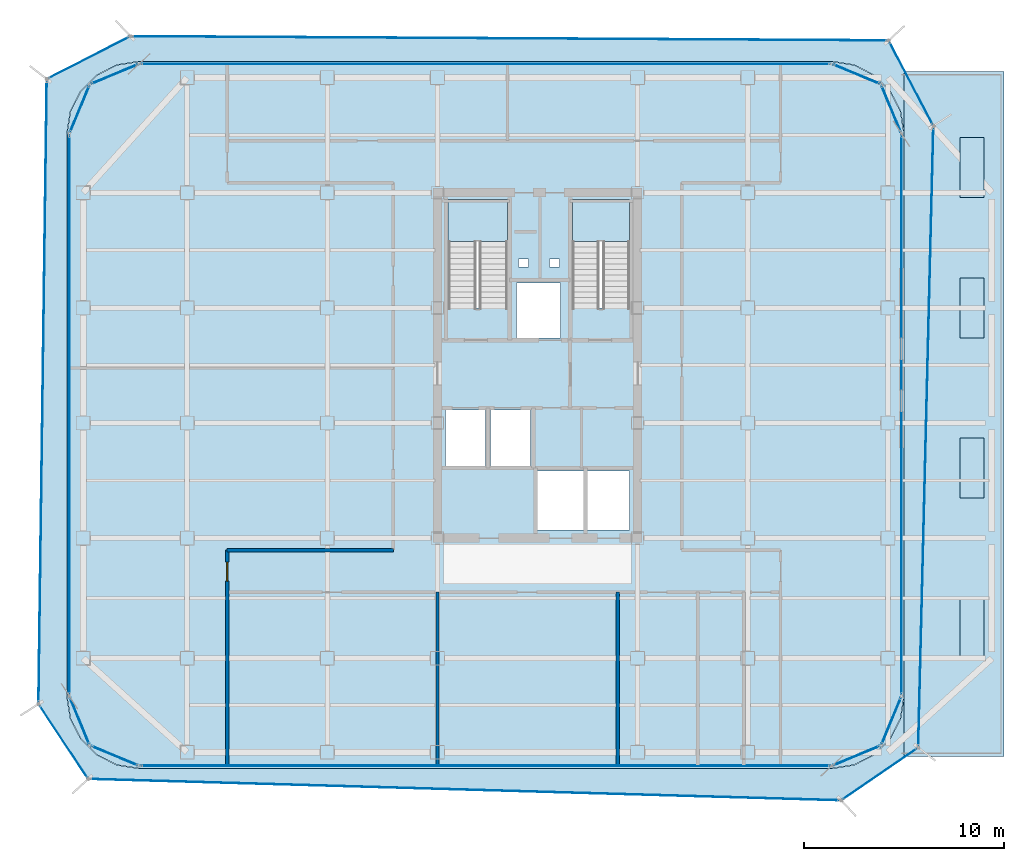
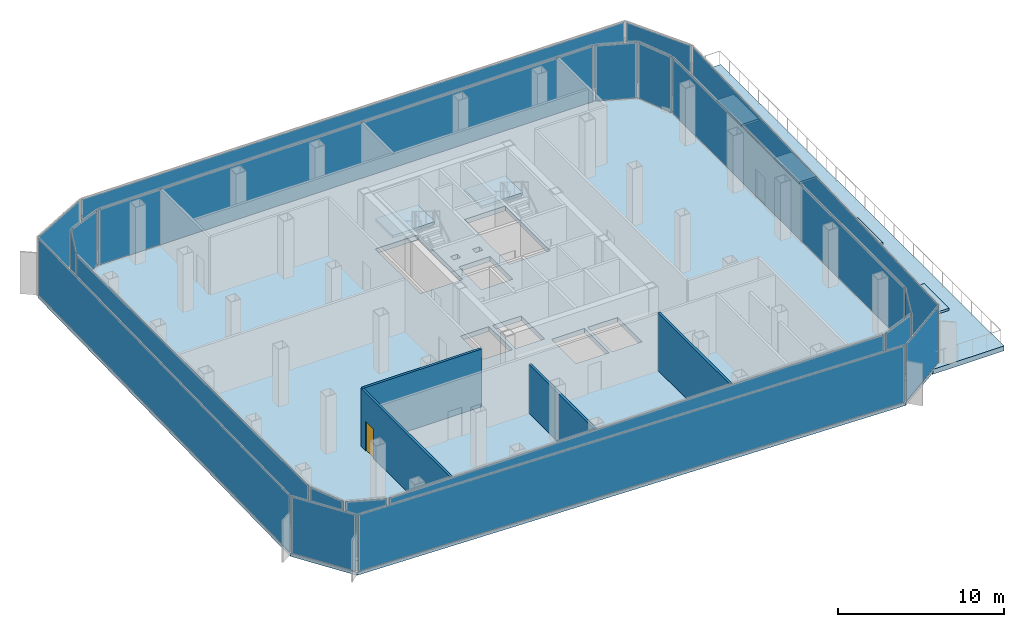
# One storey, part 9 of 14: 20 plates, 9 slabs, 4 walls, 1 door, 1 opening, 22 elements without a shape of their own.
"""IFC4 building model written with IfcOpenShell, lengths in metres."""

from ifc_helpers import new_model, si_unit, direction, frame, frame_2d, origin, origin_2d, place, context, subcontext, project, spatial, polyline, rectangle, outline, extrude, source, transform, mapped, material, layer, layer_set, type_object, element, fill, aggregate, save


model = new_model("IFC4")

# Units and contexts
model_context = context("Model", 3, precision=1e-05, world=origin(), true_north=direction((0.0, 1.0)))
body_context = subcontext(model_context, "Body", "Model", "MODEL_VIEW")
ifc_project = project(units=[si_unit("LENGTHUNIT", "METRE"), si_unit("AREAUNIT", "SQUARE_METRE"), si_unit("VOLUMEUNIT", "CUBIC_METRE"), si_unit("PLANEANGLEUNIT", "RADIAN"), si_unit("MASSUNIT", "GRAM", prefix="KILO")], contexts=[model_context])

# Site, building, storey
site_placement = place(None, origin())
site = spatial("IfcSite", under=ifc_project, at=site_placement, CompositionType="ELEMENT")
building_placement = place(site_placement, origin())
building = spatial("IfcBuilding", under=site, at=building_placement, Name="Kolveth Station Tower", CompositionType="ELEMENT")
storey_placement = place(building_placement, frame((0.0, 0.0, 151.60009765625)))
storey = spatial("IfcBuildingStorey", under=building, at=storey_placement, Name="L42", CompositionType="ELEMENT", Elevation=151.60009765625)

# Slabs
ifc_material_1 = material(Name="Concrete C50/60", Category="concrete")
ifc_layer_1 = layer(ifc_material_1, 0.360107421875)
ifc_layer_set_1 = layer_set([ifc_layer_1], Name="Concrete C50/60")
slab_type_1 = type_object("IfcSlabType", Name="Slab_SF-360", PredefinedType="FLOOR", material=ifc_layer_set_1)
slab_1_placement = place(storey_placement, frame((0.0, 0.0, -0.360107421875)))
element("IfcSlab", 1, at=slab_1_placement, inside=storey, type_object=slab_type_1, Name="L42 Tower Structural Floor Slab", PredefinedType="FLOOR", context=body_context, shape_type="SweptSolid", body=[
    extrude(outline(polyline([(38.199951171875, 0.0), (39.3125, 0.17626953125), (40.31591796875, 0.6875), (41.112548828125, 1.48388671875), (41.623779296875, 2.487548828125), (41.800048828125, 3.60009765625), (41.800048828125, 31.699951171875), (41.623779296875, 32.8125), (41.112548828125, 33.81591796875), (40.31591796875, 34.612548828125), (39.3125, 35.123779296875), (38.199951171875, 35.300048828125), (3.60009765625, 35.300048828125), (2.487548828125, 35.123779296875), (1.48388671875, 34.612548828125), (0.6875, 33.81591796875), (0.17626953125, 32.8125), (0.0, 31.699951171875), (0.0, 3.60009765625), (0.17626953125, 2.487548828125), (0.6875, 1.48388671875), (1.48388671875, 0.6875), (2.487548828125, 0.17626953125), (3.60009765625, 0.0), (38.199951171875, 0.0)]), holes=[polyline([(19.0400390625, 22.985107421875), (22.0, 22.985107421875), (22.0, 28.39990234375), (19.0400390625, 28.39990234375), (19.0400390625, 22.985107421875)]), polyline([(25.239990234375, 22.985107421875), (28.10009765625, 22.985107421875), (28.10009765625, 28.39990234375), (25.239990234375, 28.39990234375), (25.239990234375, 22.985107421875)]), polyline([(18.89990234375, 15.10009765625), (20.89990234375, 15.10009765625), (20.89990234375, 17.89990234375), (18.89990234375, 17.89990234375), (18.89990234375, 15.10009765625)]), polyline([(21.14990234375, 15.10009765625), (23.14990234375, 15.10009765625), (23.14990234375, 17.89990234375), (21.14990234375, 17.89990234375), (21.14990234375, 15.10009765625)]), polyline([(22.449951171875, 21.5), (24.64990234375, 21.5), (24.64990234375, 24.25), (22.449951171875, 24.25), (22.449951171875, 21.5)]), polyline([(23.5, 11.89990234375), (25.800048828125, 11.89990234375), (25.800048828125, 14.85009765625), (23.5, 14.85009765625), (23.5, 11.89990234375)]), polyline([(26.0, 11.89990234375), (28.10009765625, 11.89990234375), (28.10009765625, 14.85009765625), (26.0, 14.85009765625), (26.0, 11.89990234375)]), polyline([(22.550048828125, 25.050048828125), (23.050048828125, 25.050048828125), (23.050048828125, 25.449951171875), (22.550048828125, 25.449951171875), (22.550048828125, 25.050048828125)]), polyline([(24.10009765625, 25.050048828125), (24.60009765625, 25.050048828125), (24.60009765625, 25.449951171875), (24.10009765625, 25.449951171875), (24.10009765625, 25.050048828125)])]), origin(), (0.0, 0.0, 1.0), 0.360107421875),
])
slab_2_placement = place(storey_placement, frame((0.0, 0.0, -0.360107421875)))
element("IfcSlab", 2, at=slab_2_placement, inside=storey, type_object=slab_type_1, Name="L42 East Sky Garden Terrace Slab", PredefinedType="FLOOR", context=body_context, shape_type="SweptSolid", body=[
    extrude(outline(polyline([(41.81005859375, 0.60009765625), (46.800048828125, 0.60009765625), (46.800048828125, 34.800048828125), (41.81005859375, 34.800048828125), (41.81005859375, 0.60009765625)])), origin(), (0.0, 0.0, 1.0), 0.360107421875),
])

# Stair, slab
ifc_material_2 = material(Name="Concrete C40/50", Category="concrete")
stair_type_1 = type_object("IfcStairType", Name="Stair_ST2", PredefinedType="HALF_TURN_STAIR", material=ifc_material_2)
stair_1_placement = place(storey_placement, origin())
stair_1 = element("IfcStair", 3, at=stair_1_placement, inside=storey, type_object=stair_type_1, Name="L42 Tower Exit Stair ST2", PredefinedType="HALF_TURN_STAIR")
ifc_layer_2 = layer(ifc_material_2, 0.18994140625)
ifc_layer_set_2 = layer_set([ifc_layer_2], Name="Concrete C40/50")
slab_type_2 = type_object("IfcSlabType", Name="Slab_SL-190", PredefinedType="LANDING", material=ifc_layer_set_2)
slab_3_placement = place(storey_placement, frame((0.0, 0.0, 2.0498046875)))
slab_3 = element("IfcSlab", 4, at=slab_3_placement, type_object=slab_type_2, Name="ST2 landing 1", PredefinedType="LANDING", context=body_context, shape_type="SweptSolid", body=[
    extrude(outline(polyline([(28.10009765625, 26.31005859375), (28.10009765625, 28.39990234375), (25.239990234375, 28.39990234375), (25.239990234375, 26.31005859375), (28.10009765625, 26.31005859375)])), origin(), (0.0, 0.0, 1.0), 0.2001953125),
])
aggregate(stair_1, [slab_3])

stair_type_2 = type_object("IfcStairType", Name="Stair_ST1", PredefinedType="HALF_TURN_STAIR", material=ifc_material_2)
stair_2_placement = place(storey_placement, origin())
stair_2 = element("IfcStair", 5, at=stair_2_placement, inside=storey, type_object=stair_type_2, Name="L42 Tower Exit Stair ST1", PredefinedType="HALF_TURN_STAIR")
ifc_layer_3 = layer(ifc_material_2, 0.205078125)
ifc_layer_set_3 = layer_set([ifc_layer_3], Name="Concrete C40/50")
slab_type_3 = type_object("IfcSlabType", Name="Slab_SL-205", PredefinedType="LANDING", material=ifc_layer_set_3)
slab_4_placement = place(storey_placement, frame((0.0, 0.0, 2.0498046875)))
slab_4 = element("IfcSlab", 6, at=slab_4_placement, type_object=slab_type_3, Name="ST1 landing 1", PredefinedType="LANDING", context=body_context, shape_type="SweptSolid", body=[
    extrude(outline(polyline([(22.0, 26.31005859375), (22.0, 28.39990234375), (19.0400390625, 28.39990234375), (19.0400390625, 26.31005859375), (22.0, 26.31005859375)])), origin(), (0.0, 0.0, 1.0), 0.2001953125),
])
aggregate(stair_2, [slab_4])

# Slabs
ifc_layer_4 = layer(ifc_material_2, 0.2099609375)
ifc_layer_set_4 = layer_set([ifc_layer_4], Name="Concrete C40/50")
slab_type_4 = type_object("IfcSlabType", Name="Slab_ST-210", PredefinedType="FLOOR", material=ifc_layer_set_4)
slab_5_placement = place(storey_placement, frame((0.0, 0.0, -0.210205078125)))
element("IfcSlab", 7, at=slab_5_placement, inside=storey, type_object=slab_type_4, Name="L42 Double-Skin Cavity Structural Ledger Ring", PredefinedType="FLOOR", context=body_context, shape_type="SweptSolid", body=[
    extrude(outline(polyline([(38.672607421875, -1.6025390625), (1.058349609375, -0.531494140625), (-1.42236328125, 3.21826171875), (-1.009033203125, 34.42822265625), (3.169189453125, 36.563232421875), (41.0400390625, 36.354248046875), (41.846435546875, 34.81494140625), (41.81005859375, 34.81494140625), (41.80419921875, 34.81396484375), (41.79931640625, 34.810546875), (41.796142578125, 34.8056640625), (41.794921875, 34.800048828125), (41.794921875, 31.827392578125), (41.638671875, 32.814697265625), (41.63720703125, 32.8193359375), (41.1259765625, 33.82275390625), (41.123046875, 33.82666015625), (40.32666015625, 34.623046875), (40.32275390625, 34.6259765625), (39.3193359375, 35.13720703125), (39.314697265625, 35.138671875), (38.202392578125, 35.314697265625), (38.199951171875, 35.31494140625), (3.60009765625, 35.31494140625), (3.59765625, 35.314697265625), (2.485107421875, 35.138671875), (2.480712890625, 35.13720703125), (1.477294921875, 34.6259765625), (1.473388671875, 34.623046875), (0.677001953125, 33.82666015625), (0.674072265625, 33.82275390625), (0.162841796875, 32.8193359375), (0.161376953125, 32.814697265625), (-0.014892578125, 31.702392578125), (-0.014892578125, 31.699951171875), (-0.014892578125, 3.60009765625), (-0.014892578125, 3.59765625), (0.161376953125, 2.485107421875), (0.162841796875, 2.480712890625), (0.674072265625, 1.477294921875), (0.677001953125, 1.473388671875), (1.473388671875, 0.677001953125), (1.477294921875, 0.674072265625), (2.480712890625, 0.162841796875), (2.485107421875, 0.161376953125), (3.59765625, -0.014892578125), (3.60009765625, -0.014892578125), (38.199951171875, -0.014892578125), (38.202392578125, -0.014892578125), (39.314697265625, 0.161376953125), (39.3193359375, 0.162841796875), (40.32275390625, 0.674072265625), (40.32666015625, 0.677001953125), (41.123046875, 1.473388671875), (41.1259765625, 1.477294921875), (41.63720703125, 2.480712890625), (41.638671875, 2.485107421875), (41.794921875, 3.472412109375), (41.794921875, 0.60009765625), (41.796142578125, 0.59423828125), (41.79931640625, 0.58935546875), (41.80419921875, 0.586181640625), (41.81005859375, 0.5849609375), (41.859375, 0.5849609375), (38.672607421875, -1.6025390625)])), origin(), (0.0, 0.0, 1.0), 0.210205078125),
])
ifc_layer_5 = layer(ifc_material_2, 0.159912109375)
ifc_layer_set_5 = layer_set([ifc_layer_5], Name="Concrete C40/50")
slab_type_5 = type_object("IfcSlabType", Name="Slab_PL-160", PredefinedType="FLOOR", material=ifc_layer_set_5)
shared_shape_1 = source(origin(), body_context, "Body", "SweptSolid", [
    extrude(rectangle(XDim=1.199951171875, YDim=3.0, at=origin_2d()), origin(), (0.0, 0.0, 1.0), 0.159912109375),
])
for number, where, z_axis, x_axis, name in (
    (8, (45.199951171875, 7.0, 0.0), (0.0, 0.0, 1.0), (1.0, 0.0, 0.0), "L42 Sky Garden Planter Bed 1"),
    (9, (45.199951171875, 15.0, 0.0), (0.0, 0.0, 1.0), (1.0, 0.0, 0.0), "L42 Sky Garden Planter Bed 2"),
    (10, (45.199951171875, 23.0, 0.0), (0.0, 0.0, 1.0), (1.0, 0.0, 0.0), "L42 Sky Garden Planter Bed 3"),
    (11, (45.199951171875, 30.0, 0.0), (0.0, 0.0, 1.0), (1.0, 0.0, 0.0), "L42 Sky Garden Planter Bed 4"),
):
    element("IfcSlab", number, at=place(storey_placement, frame(where, z_axis=z_axis, x_axis=x_axis)), inside=storey, type_object=slab_type_5, Name=name, PredefinedType="FLOOR", context=body_context, shape_type="MappedRepresentation", body=[
        mapped(shared_shape_1, transform((0.0, 0.0, 0.0), x_axis=(1.0, 0.0, 0.0), y_axis=(0.0, 1.0, 0.0), z_axis=(0.0, 0.0, 1.0), scale=1.0)),
    ])

# Curtain wall, plate
ifc_material_3 = material(Name="Aluminium 6063-T6 and acoustic laminated dark glass", Category="aluminium")
ifc_layer_6 = layer(ifc_material_3, 0.219970703125)
ifc_layer_set_6 = layer_set([ifc_layer_6], Name="Aluminium 6063-T6 and acoustic laminated dark glass")
curtain_wall_type_1 = type_object("IfcCurtainWallType", Name="CurtainWall_CW-SL", PredefinedType="NOTDEFINED", material=ifc_layer_set_6)
curtain_wall_1_placement = place(storey_placement, origin())
curtain_wall_1 = element("IfcCurtainWall", 12, at=curtain_wall_1_placement, inside=storey, type_object=curtain_wall_type_1, Name="L42 Inner Thermal Curtain Wall 1", PredefinedType="NOTDEFINED")
ifc_material_4 = material(Name="Architectural low-E dark glass", Category="glass")
ifc_layer_7 = layer(ifc_material_4, 0.0458984375)
ifc_layer_set_7 = layer_set([ifc_layer_7], Name="Architectural low-E dark glass")
plate_type_1 = type_object("IfcPlateType", Name="Panel_GL-SL", PredefinedType="CURTAIN_PANEL", material=ifc_layer_set_7)
shared_shape_2 = source(origin(), body_context, "Body", "SweptSolid", [
    extrude(rectangle(XDim=2.487548828125, YDim=0.0458984375, at=origin_2d()), origin(), (0.0, 0.0, 1.0), 4.083984375),
])
plate_1_placement = place(storey_placement, frame((39.430419921875, 0.629638671875, 0.0830078125), z_axis=(0.0, 0.0, 1.0), x_axis=(0.923873600544, 0.382697753087, 0.0)))
plate_1 = element("IfcPlate", 13, at=plate_1_placement, type_object=plate_type_1, Name="CW-SL panel 1.1", PredefinedType="CURTAIN_PANEL", context=body_context, shape_type="MappedRepresentation", body=[
    mapped(shared_shape_2, transform((0.0, 0.0, 0.0), x_axis=(1.0, 0.0, 0.0), y_axis=(0.0, 1.0, 0.0), z_axis=(0.0, 0.0, 1.0), scale=1.0)),
])
aggregate(curtain_wall_1, [plate_1])

curtain_wall_2_placement = place(storey_placement, origin())
curtain_wall_2 = element("IfcCurtainWall", 14, at=curtain_wall_2_placement, inside=storey, type_object=curtain_wall_type_1, Name="L42 Inner Thermal Curtain Wall 2", PredefinedType="NOTDEFINED")
plate_2_placement = place(storey_placement, frame((41.17041015625, 2.36962890625, 0.0830078125), z_axis=(0.0, 0.0, 1.0), x_axis=(0.382697753087, 0.923873600544, 0.0)))
plate_2 = element("IfcPlate", 15, at=plate_2_placement, type_object=plate_type_1, Name="CW-SL panel 1.1", PredefinedType="CURTAIN_PANEL", context=body_context, shape_type="MappedRepresentation", body=[
    mapped(shared_shape_2, transform((0.0, 0.0, 0.0), x_axis=(1.0, 0.0, 0.0), y_axis=(0.0, 1.0, 0.0), z_axis=(0.0, 0.0, 1.0), scale=1.0)),
])
aggregate(curtain_wall_2, [plate_2])

curtain_wall_3_placement = place(storey_placement, origin())
curtain_wall_3 = element("IfcCurtainWall", 16, at=curtain_wall_3_placement, inside=storey, type_object=curtain_wall_type_1, Name="L42 Inner Thermal Curtain Wall 4", PredefinedType="NOTDEFINED")
plate_3_placement = place(storey_placement, frame((41.17041015625, 32.930419921875, 0.0830078125), z_axis=(0.0, 0.0, 1.0), x_axis=(-0.382697753087, 0.923873600544, 0.0)))
plate_3 = element("IfcPlate", 17, at=plate_3_placement, type_object=plate_type_1, Name="CW-SL panel 1.1", PredefinedType="CURTAIN_PANEL", context=body_context, shape_type="MappedRepresentation", body=[
    mapped(shared_shape_2, transform((0.0, 0.0, 0.0), x_axis=(1.0, 0.0, 0.0), y_axis=(0.0, 1.0, 0.0), z_axis=(0.0, 0.0, 1.0), scale=1.0)),
])
aggregate(curtain_wall_3, [plate_3])

curtain_wall_4_placement = place(storey_placement, origin())
curtain_wall_4 = element("IfcCurtainWall", 18, at=curtain_wall_4_placement, inside=storey, type_object=curtain_wall_type_1, Name="L42 Inner Thermal Curtain Wall 5", PredefinedType="NOTDEFINED")
plate_4_placement = place(storey_placement, frame((39.430419921875, 34.67041015625, 0.0830078125), z_axis=(0.0, 0.0, 1.0), x_axis=(-0.923873600544, 0.382697753087, 0.0)))
plate_4 = element("IfcPlate", 19, at=plate_4_placement, type_object=plate_type_1, Name="CW-SL panel 1.1", PredefinedType="CURTAIN_PANEL", context=body_context, shape_type="MappedRepresentation", body=[
    mapped(shared_shape_2, transform((0.0, 0.0, 0.0), x_axis=(1.0, 0.0, 0.0), y_axis=(0.0, 1.0, 0.0), z_axis=(0.0, 0.0, 1.0), scale=1.0)),
])
aggregate(curtain_wall_4, [plate_4])

curtain_wall_5_placement = place(storey_placement, origin())
curtain_wall_5 = element("IfcCurtainWall", 20, at=curtain_wall_5_placement, inside=storey, type_object=curtain_wall_type_1, Name="L42 Inner Thermal Curtain Wall 7", PredefinedType="NOTDEFINED")
plate_5_placement = place(storey_placement, frame((2.36962890625, 34.67041015625, 0.0830078125), z_axis=(0.0, 0.0, 1.0), x_axis=(-0.923873600544, -0.382697753087, 0.0)))
plate_5 = element("IfcPlate", 21, at=plate_5_placement, type_object=plate_type_1, Name="CW-SL panel 1.1", PredefinedType="CURTAIN_PANEL", context=body_context, shape_type="MappedRepresentation", body=[
    mapped(shared_shape_2, transform((0.0, 0.0, 0.0), x_axis=(1.0, 0.0, 0.0), y_axis=(0.0, 1.0, 0.0), z_axis=(0.0, 0.0, 1.0), scale=1.0)),
])
aggregate(curtain_wall_5, [plate_5])

curtain_wall_6_placement = place(storey_placement, origin())
curtain_wall_6 = element("IfcCurtainWall", 22, at=curtain_wall_6_placement, inside=storey, type_object=curtain_wall_type_1, Name="L42 Inner Thermal Curtain Wall 8", PredefinedType="NOTDEFINED")
plate_6_placement = place(storey_placement, frame((0.629638671875, 32.930419921875, 0.0830078125), z_axis=(0.0, 0.0, 1.0), x_axis=(-0.382697753087, -0.923873600544, 0.0)))
plate_6 = element("IfcPlate", 23, at=plate_6_placement, type_object=plate_type_1, Name="CW-SL panel 1.1", PredefinedType="CURTAIN_PANEL", context=body_context, shape_type="MappedRepresentation", body=[
    mapped(shared_shape_2, transform((0.0, 0.0, 0.0), x_axis=(1.0, 0.0, 0.0), y_axis=(0.0, 1.0, 0.0), z_axis=(0.0, 0.0, 1.0), scale=1.0)),
])
aggregate(curtain_wall_6, [plate_6])

curtain_wall_7_placement = place(storey_placement, origin())
curtain_wall_7 = element("IfcCurtainWall", 24, at=curtain_wall_7_placement, inside=storey, type_object=curtain_wall_type_1, Name="L42 Inner Thermal Curtain Wall 10", PredefinedType="NOTDEFINED")
plate_7_placement = place(storey_placement, frame((0.629638671875, 2.36962890625, 0.0830078125), z_axis=(0.0, 0.0, 1.0), x_axis=(0.382697753087, -0.923873600544, 0.0)))
plate_7 = element("IfcPlate", 25, at=plate_7_placement, type_object=plate_type_1, Name="CW-SL panel 1.1", PredefinedType="CURTAIN_PANEL", context=body_context, shape_type="MappedRepresentation", body=[
    mapped(shared_shape_2, transform((0.0, 0.0, 0.0), x_axis=(1.0, 0.0, 0.0), y_axis=(0.0, 1.0, 0.0), z_axis=(0.0, 0.0, 1.0), scale=1.0)),
])
aggregate(curtain_wall_7, [plate_7])

curtain_wall_8_placement = place(storey_placement, origin())
curtain_wall_8 = element("IfcCurtainWall", 26, at=curtain_wall_8_placement, inside=storey, type_object=curtain_wall_type_1, Name="L42 Inner Thermal Curtain Wall 11", PredefinedType="NOTDEFINED")
plate_8_placement = place(storey_placement, frame((2.36962890625, 0.629638671875, 0.0830078125), z_axis=(0.0, 0.0, 1.0), x_axis=(0.923873600544, -0.382697753087, 0.0)))
plate_8 = element("IfcPlate", 27, at=plate_8_placement, type_object=plate_type_1, Name="CW-SL panel 1.1", PredefinedType="CURTAIN_PANEL", context=body_context, shape_type="MappedRepresentation", body=[
    mapped(shared_shape_2, transform((0.0, 0.0, 0.0), x_axis=(1.0, 0.0, 0.0), y_axis=(0.0, 1.0, 0.0), z_axis=(0.0, 0.0, 1.0), scale=1.0)),
])
aggregate(curtain_wall_8, [plate_8])

curtain_wall_9_placement = place(storey_placement, origin())
curtain_wall_9 = element("IfcCurtainWall", 28, at=curtain_wall_9_placement, inside=storey, type_object=curtain_wall_type_1, Name="L42 Inner Thermal Curtain Wall 3", PredefinedType="NOTDEFINED")
shared_shape_3 = source(origin(), body_context, "Body", "SweptSolid", [
    extrude(rectangle(XDim=27.924072265625, YDim=0.0458984375, at=origin_2d()), origin(), (0.0, 0.0, 1.0), 4.083984375),
])
plate_9_placement = place(storey_placement, frame((41.679931640625, 17.64990234375, 0.0830078125), z_axis=(0.0, 0.0, 1.0), x_axis=(0.0, 1.0, 0.0)))
plate_9 = element("IfcPlate", 29, at=plate_9_placement, type_object=plate_type_1, Name="CW-SL panel 1.1", PredefinedType="CURTAIN_PANEL", context=body_context, shape_type="MappedRepresentation", body=[
    mapped(shared_shape_3, transform((0.0, 0.0, 0.0), x_axis=(1.0, 0.0, 0.0), y_axis=(0.0, 1.0, 0.0), z_axis=(0.0, 0.0, 1.0), scale=1.0)),
])
aggregate(curtain_wall_9, [plate_9])

curtain_wall_10_placement = place(storey_placement, origin())
curtain_wall_10 = element("IfcCurtainWall", 30, at=curtain_wall_10_placement, inside=storey, type_object=curtain_wall_type_1, Name="L42 Inner Thermal Curtain Wall 9", PredefinedType="NOTDEFINED")
plate_10_placement = place(storey_placement, frame((0.1201171875, 17.64990234375, 0.0830078125), z_axis=(0.0, 0.0, 1.0), x_axis=(0.0, -1.0, 0.0)))
plate_10 = element("IfcPlate", 31, at=plate_10_placement, type_object=plate_type_1, Name="CW-SL panel 1.1", PredefinedType="CURTAIN_PANEL", context=body_context, shape_type="MappedRepresentation", body=[
    mapped(shared_shape_3, transform((0.0, 0.0, 0.0), x_axis=(1.0, 0.0, 0.0), y_axis=(0.0, 1.0, 0.0), z_axis=(0.0, 0.0, 1.0), scale=1.0)),
])
aggregate(curtain_wall_10, [plate_10])

curtain_wall_11_placement = place(storey_placement, origin())
curtain_wall_11 = element("IfcCurtainWall", 32, at=curtain_wall_11_placement, inside=storey, type_object=curtain_wall_type_1, Name="L42 Inner Thermal Curtain Wall 6", PredefinedType="NOTDEFINED")
shared_shape_4 = source(origin(), body_context, "Body", "SweptSolid", [
    extrude(rectangle(XDim=34.424072265625, YDim=0.0458984375, at=origin_2d()), origin(), (0.0, 0.0, 1.0), 4.083984375),
])
plate_11_placement = place(storey_placement, frame((20.89990234375, 35.179931640625, 0.0830078125), z_axis=(0.0, 0.0, 1.0), x_axis=(-1.0, 0.0, 0.0)))
plate_11 = element("IfcPlate", 33, at=plate_11_placement, type_object=plate_type_1, Name="CW-SL panel 1.1", PredefinedType="CURTAIN_PANEL", context=body_context, shape_type="MappedRepresentation", body=[
    mapped(shared_shape_4, transform((0.0, 0.0, 0.0), x_axis=(1.0, 0.0, 0.0), y_axis=(0.0, 1.0, 0.0), z_axis=(0.0, 0.0, 1.0), scale=1.0)),
])
aggregate(curtain_wall_11, [plate_11])

curtain_wall_12_placement = place(storey_placement, origin())
curtain_wall_12 = element("IfcCurtainWall", 34, at=curtain_wall_12_placement, inside=storey, type_object=curtain_wall_type_1, Name="L42 Inner Thermal Curtain Wall 12", PredefinedType="NOTDEFINED")
plate_12_placement = place(storey_placement, frame((20.89990234375, 0.1201171875, 0.0830078125), z_axis=(0.0, 0.0, 1.0), x_axis=(1.0, 0.0, 0.0)))
plate_12 = element("IfcPlate", 35, at=plate_12_placement, type_object=plate_type_1, Name="CW-SL panel 1.1", PredefinedType="CURTAIN_PANEL", context=body_context, shape_type="MappedRepresentation", body=[
    mapped(shared_shape_4, transform((0.0, 0.0, 0.0), x_axis=(1.0, 0.0, 0.0), y_axis=(0.0, 1.0, 0.0), z_axis=(0.0, 0.0, 1.0), scale=1.0)),
])
aggregate(curtain_wall_12, [plate_12])

ifc_material_5 = material(Name="Black anodized aluminium 6063-T6 and dark solar glass", Category="aluminium")
ifc_layer_8 = layer(ifc_material_5, 0.159912109375)
ifc_layer_set_8 = layer_set([ifc_layer_8], Name="Black anodized aluminium 6063-T6 and dark solar glass")
curtain_wall_type_2 = type_object("IfcCurtainWallType", Name="OUTER SKIN CW-OS", PredefinedType="NOTDEFINED", material=ifc_layer_set_8)
curtain_wall_13_placement = place(storey_placement, origin())
curtain_wall_13 = element("IfcCurtainWall", 36, at=curtain_wall_13_placement, inside=storey, type_object=curtain_wall_type_2, Name="L42 Outer Ventilated Skin Curtain Wall 1", PredefinedType="NOTDEFINED")
ifc_layer_9 = layer(ifc_material_4, 0.028076171875)
ifc_layer_set_9 = layer_set([ifc_layer_9], Name="Architectural low-E dark glass")
plate_type_2 = type_object("IfcPlateType", Name="Panel_GL-OS", PredefinedType="CURTAIN_PANEL", material=ifc_layer_set_9)
shared_shape_5 = source(origin(), body_context, "Body", "SweptSolid", [
    extrude(rectangle(XDim=4.499755859375, YDim=0.028076171875, at=origin_2d()), origin(), (0.0, 0.0, 1.0), 4.14404296875),
])
plate_13_placement = place(storey_placement, frame((40.595947265625, -0.2822265625, 0.072998046875), z_axis=(0.0, 0.0, 1.0), x_axis=(0.824459431934, 0.565921059066, 0.0)))
plate_13 = element("IfcPlate", 37, at=plate_13_placement, type_object=plate_type_2, Name="CW-OS panel 1.1", PredefinedType="CURTAIN_PANEL", context=body_context, shape_type="MappedRepresentation", body=[
    mapped(shared_shape_5, transform((0.0, 0.0, 0.0), x_axis=(1.0, 0.0, 0.0), y_axis=(0.0, 1.0, 0.0), z_axis=(0.0, 0.0, 1.0), scale=1.0)),
])
aggregate(curtain_wall_13, [plate_13])

curtain_wall_14_placement = place(storey_placement, origin())
curtain_wall_14 = element("IfcCurtainWall", 38, at=curtain_wall_14_placement, inside=storey, type_object=curtain_wall_type_2, Name="L42 Outer Ventilated Skin Curtain Wall 2", PredefinedType="NOTDEFINED")
shared_shape_6 = source(origin(), body_context, "Body", "SweptSolid", [
    extrude(rectangle(XDim=30.8935546875, YDim=0.028076171875, at=origin_2d()), origin(), (0.0, 0.0, 1.0), 4.14404296875),
])
plate_14_placement = place(storey_placement, frame((42.897216796875, 16.563232421875, 0.072998046875), z_axis=(0.0, 0.0, 1.0), x_axis=(0.024324210462, 0.999704122621, 0.0)))
plate_14 = element("IfcPlate", 39, at=plate_14_placement, type_object=plate_type_2, Name="CW-OS panel 1.1", PredefinedType="CURTAIN_PANEL", context=body_context, shape_type="MappedRepresentation", body=[
    mapped(shared_shape_6, transform((0.0, 0.0, 0.0), x_axis=(1.0, 0.0, 0.0), y_axis=(0.0, 1.0, 0.0), z_axis=(0.0, 0.0, 1.0), scale=1.0)),
])
aggregate(curtain_wall_14, [plate_14])

curtain_wall_15_placement = place(storey_placement, origin())
curtain_wall_15 = element("IfcCurtainWall", 40, at=curtain_wall_15_placement, inside=storey, type_object=curtain_wall_type_2, Name="L42 Outer Ventilated Skin Curtain Wall 3", PredefinedType="NOTDEFINED")
shared_shape_7 = source(origin(), body_context, "Body", "SweptSolid", [
    extrude(rectangle(XDim=4.64990234375, YDim=0.028076171875, at=origin_2d()), origin(), (0.0, 0.0, 1.0), 4.14404296875),
])
plate_15_placement = place(storey_placement, frame((42.157470703125, 34.22119140625, 0.072998046875), z_axis=(0.0, 0.0, 1.0), x_axis=(-0.464077601679, 0.885794547071, 0.0)))
plate_15 = element("IfcPlate", 41, at=plate_15_placement, type_object=plate_type_2, Name="CW-OS panel 1.1", PredefinedType="CURTAIN_PANEL", context=body_context, shape_type="MappedRepresentation", body=[
    mapped(shared_shape_7, transform((0.0, 0.0, 0.0), x_axis=(1.0, 0.0, 0.0), y_axis=(0.0, 1.0, 0.0), z_axis=(0.0, 0.0, 1.0), scale=1.0)),
])
aggregate(curtain_wall_15, [plate_15])

curtain_wall_16_placement = place(storey_placement, origin())
curtain_wall_16 = element("IfcCurtainWall", 42, at=curtain_wall_16_placement, inside=storey, type_object=curtain_wall_type_2, Name="L42 Outer Ventilated Skin Curtain Wall 4", PredefinedType="NOTDEFINED")
shared_shape_8 = source(origin(), body_context, "Body", "SweptSolid", [
    extrude(rectangle(XDim=37.70556640625, YDim=0.028076171875, at=origin_2d()), origin(), (0.0, 0.0, 1.0), 4.14404296875),
])
plate_16_placement = place(storey_placement, frame((22.1044921875, 36.458740234375, 0.072998046875), z_axis=(0.0, 0.0, 1.0), x_axis=(-0.999984772051, 0.005518665191, 0.0)))
plate_16 = element("IfcPlate", 43, at=plate_16_placement, type_object=plate_type_2, Name="CW-OS panel 1.1", PredefinedType="CURTAIN_PANEL", context=body_context, shape_type="MappedRepresentation", body=[
    mapped(shared_shape_8, transform((0.0, 0.0, 0.0), x_axis=(1.0, 0.0, 0.0), y_axis=(0.0, 1.0, 0.0), z_axis=(0.0, 0.0, 1.0), scale=1.0)),
])
aggregate(curtain_wall_16, [plate_16])

curtain_wall_17_placement = place(storey_placement, origin())
curtain_wall_17 = element("IfcCurtainWall", 44, at=curtain_wall_17_placement, inside=storey, type_object=curtain_wall_type_2, Name="L42 Outer Ventilated Skin Curtain Wall 5", PredefinedType="NOTDEFINED")
shared_shape_9 = source(origin(), body_context, "Body", "SweptSolid", [
    extrude(rectangle(XDim=4.52587890625, YDim=0.028076171875, at=origin_2d()), origin(), (0.0, 0.0, 1.0), 4.14404296875),
])
plate_17_placement = place(storey_placement, frame((1.080078125, 35.495849609375, 0.072998046875), z_axis=(0.0, 0.0, 1.0), x_axis=(-0.890484196171, -0.455014171614, 0.0)))
plate_17 = element("IfcPlate", 45, at=plate_17_placement, type_object=plate_type_2, Name="CW-OS panel 1.1", PredefinedType="CURTAIN_PANEL", context=body_context, shape_type="MappedRepresentation", body=[
    mapped(shared_shape_9, transform((0.0, 0.0, 0.0), x_axis=(1.0, 0.0, 0.0), y_axis=(0.0, 1.0, 0.0), z_axis=(0.0, 0.0, 1.0), scale=1.0)),
])
aggregate(curtain_wall_17, [plate_17])

curtain_wall_18_placement = place(storey_placement, origin())
curtain_wall_18 = element("IfcCurtainWall", 46, at=curtain_wall_18_placement, inside=storey, type_object=curtain_wall_type_2, Name="L42 Outer Ventilated Skin Curtain Wall 6", PredefinedType="NOTDEFINED")
shared_shape_10 = source(origin(), body_context, "Body", "SweptSolid", [
    extrude(rectangle(XDim=31.046875, YDim=0.028076171875, at=origin_2d()), origin(), (0.0, 0.0, 1.0), 4.14404296875),
])
plate_18_placement = place(storey_placement, frame((-1.2158203125, 18.8232421875, 0.072998046875), z_axis=(0.0, 0.0, 1.0), x_axis=(-0.013244550305, -0.999912287097, 0.0)))
plate_18 = element("IfcPlate", 47, at=plate_18_placement, type_object=plate_type_2, Name="CW-OS panel 1.1", PredefinedType="CURTAIN_PANEL", context=body_context, shape_type="MappedRepresentation", body=[
    mapped(shared_shape_10, transform((0.0, 0.0, 0.0), x_axis=(1.0, 0.0, 0.0), y_axis=(0.0, 1.0, 0.0), z_axis=(0.0, 0.0, 1.0), scale=1.0)),
])
aggregate(curtain_wall_18, [plate_18])

curtain_wall_19_placement = place(storey_placement, origin())
curtain_wall_19 = element("IfcCurtainWall", 48, at=curtain_wall_19_placement, inside=storey, type_object=curtain_wall_type_2, Name="L42 Outer Ventilated Skin Curtain Wall 7", PredefinedType="NOTDEFINED")
shared_shape_11 = source(origin(), body_context, "Body", "SweptSolid", [
    extrude(rectangle(XDim=4.330078125, YDim=0.028076171875, at=origin_2d()), origin(), (0.0, 0.0, 1.0), 4.14404296875),
])
plate_19_placement = place(storey_placement, frame((-0.181884765625, 1.34326171875, 0.072998046875), z_axis=(0.0, 0.0, 1.0), x_axis=(0.551771133291, -0.83399557341, 0.0)))
plate_19 = element("IfcPlate", 49, at=plate_19_placement, type_object=plate_type_2, Name="CW-OS panel 1.1", PredefinedType="CURTAIN_PANEL", context=body_context, shape_type="MappedRepresentation", body=[
    mapped(shared_shape_11, transform((0.0, 0.0, 0.0), x_axis=(1.0, 0.0, 0.0), y_axis=(0.0, 1.0, 0.0), z_axis=(0.0, 0.0, 1.0), scale=1.0)),
])
aggregate(curtain_wall_19, [plate_19])

curtain_wall_20_placement = place(storey_placement, origin())
curtain_wall_20 = element("IfcCurtainWall", 50, at=curtain_wall_20_placement, inside=storey, type_object=curtain_wall_type_2, Name="L42 Outer Ventilated Skin Curtain Wall 8", PredefinedType="NOTDEFINED")
shared_shape_12 = source(origin(), body_context, "Body", "SweptSolid", [
    extrude(rectangle(XDim=37.46337890625, YDim=0.028076171875, at=origin_2d()), origin(), (0.0, 0.0, 1.0), 4.14404296875),
])
plate_20_placement = place(storey_placement, frame((19.865478515625, -1.06689453125, 0.072998046875), z_axis=(0.0, 0.0, 1.0), x_axis=(0.999594882211, -0.028461754312, 0.0)))
plate_20 = element("IfcPlate", 51, at=plate_20_placement, type_object=plate_type_2, Name="CW-OS panel 1.1", PredefinedType="CURTAIN_PANEL", context=body_context, shape_type="MappedRepresentation", body=[
    mapped(shared_shape_12, transform((0.0, 0.0, 0.0), x_axis=(1.0, 0.0, 0.0), y_axis=(0.0, 1.0, 0.0), z_axis=(0.0, 0.0, 1.0), scale=1.0)),
])
aggregate(curtain_wall_20, [plate_20])

# Wall
ifc_material_6 = material(Name="Acoustic double-stud gypsum partition")
ifc_layer_10 = layer(ifc_material_6, 0.1650390625)
ifc_layer_set_10 = layer_set([ifc_layer_10], Name="Acoustic double-stud gypsum partition")
wall_type = type_object("IfcWallType", Name="Wall_IW-165", PredefinedType="PARTITIONING", material=ifc_layer_set_10)
wall_1_placement = place(storey_placement, frame((8.0, 10.89990234375, 0.0), z_axis=(0.0, 0.0, 1.0), x_axis=(1.0, 0.0, 0.0)))
element("IfcWall", 52, at=wall_1_placement, inside=storey, type_object=wall_type, Name="L42 Partition Wall WL-L42-SLSWT", PredefinedType="PARTITIONING", context=body_context, shape_type="SweptSolid", body=[
    extrude(rectangle(XDim=8.300048828125, YDim=0.1650390625, at=frame_2d((4.14990234375, 0.0))), origin(), (0.0, 0.0, 1.0), 4.25),
])

# Wall, opening, door
wall_2_placement = place(storey_placement, frame((8.0, 0.159912109375, 0.0), z_axis=(0.0, 0.0, 1.0), x_axis=(0.0, 1.0, 0.0)))
wall_2 = element("IfcWall", 53, at=wall_2_placement, inside=storey, type_object=wall_type, Name="L42 Partition Wall WL-L42-SLWE", PredefinedType="PARTITIONING", context=body_context, shape_type="SweptSolid", body=[
    extrude(rectangle(XDim=10.739990234375, YDim=0.1650390625, at=frame_2d((5.3701171875, 0.0))), origin(), (0.0, 0.0, 1.0), 4.25),
])
opening_placement = place(wall_2_placement, frame((9.18994140625, 0.0, 0.0)))
opening = element("IfcOpeningElement", 54, at=opening_placement, cuts=wall_2, Name="Opening ID1", PredefinedType="OPENING", context=body_context, shape_type="SweptSolid", body=[
    extrude(rectangle(XDim=0.949951171875, YDim=2.14990234375, at=frame_2d((0.47509765625, 1.074951171875))), frame((0.0, 0.092529296875, 0.0), z_axis=(0.0, -1.0, 0.0), x_axis=(1.0, 0.0, 0.0)), (0.0, 0.0, 1.0), 0.18505859375),
])
ifc_material_7 = material(Name="Acoustic hardwood leaf and aluminium frame", Category="wood")
door_type = type_object("IfcDoorType", Name="Door_ID1", OperationType="NOTDEFINED", PredefinedType="DOOR", material=ifc_material_7)
door_placement = place(opening_placement, frame((0.949951171875, 0.0, 0.0), z_axis=(0.0, 0.0, 1.0), x_axis=(-1.0, 0.0, 0.0)))
door = element("IfcDoor", 55, at=door_placement, inside=storey, type_object=door_type, Name="L42 Sky Corner Salon SW Door", OperationType="SINGLE_SWING_LEFT", OverallHeight=2.14990234375, OverallWidth=0.949951171875, PredefinedType="DOOR", context=body_context, shape_type="SweptSolid", body=[
    extrude(rectangle(XDim=0.949951171875, YDim=2.14990234375, at=frame_2d((0.47509765625, 1.074951171875))), frame((0.0, 0.02490234375, 0.0), z_axis=(0.0, -1.0, 0.0), x_axis=(1.0, 0.0, 0.0)), (0.0, 0.0, 1.0), 0.050048828125),
])
fill(opening, door)

# Walls
wall_3_placement = place(storey_placement, frame((18.5, 0.159912109375, 0.0), z_axis=(0.0, 0.0, 1.0), x_axis=(0.0, 1.0, 0.0)))
element("IfcWall", 56, at=wall_3_placement, inside=storey, type_object=wall_type, Name="L42 Partition Wall WL-L42-SS-P1", PredefinedType="PARTITIONING", context=body_context, shape_type="SweptSolid", body=[
    extrude(rectangle(XDim=8.64013671875, YDim=0.1650390625, at=frame_2d((4.320068359375, 0.0))), origin(), (0.0, 0.0, 1.0), 3.622802734375),
])
wall_4_placement = place(storey_placement, frame((27.5, 0.159912109375, 0.0), z_axis=(0.0, 0.0, 1.0), x_axis=(0.0, 1.0, 0.0)))
element("IfcWall", 57, at=wall_4_placement, inside=storey, type_object=wall_type, Name="L42 Partition Wall WL-L42-SS-P2", PredefinedType="PARTITIONING", context=body_context, shape_type="SweptSolid", body=[
    extrude(rectangle(XDim=8.64013671875, YDim=0.1650390625, at=frame_2d((4.320068359375, 0.0))), origin(), (0.0, 0.0, 1.0), 4.25),
])

save(model, "model.ifc")
